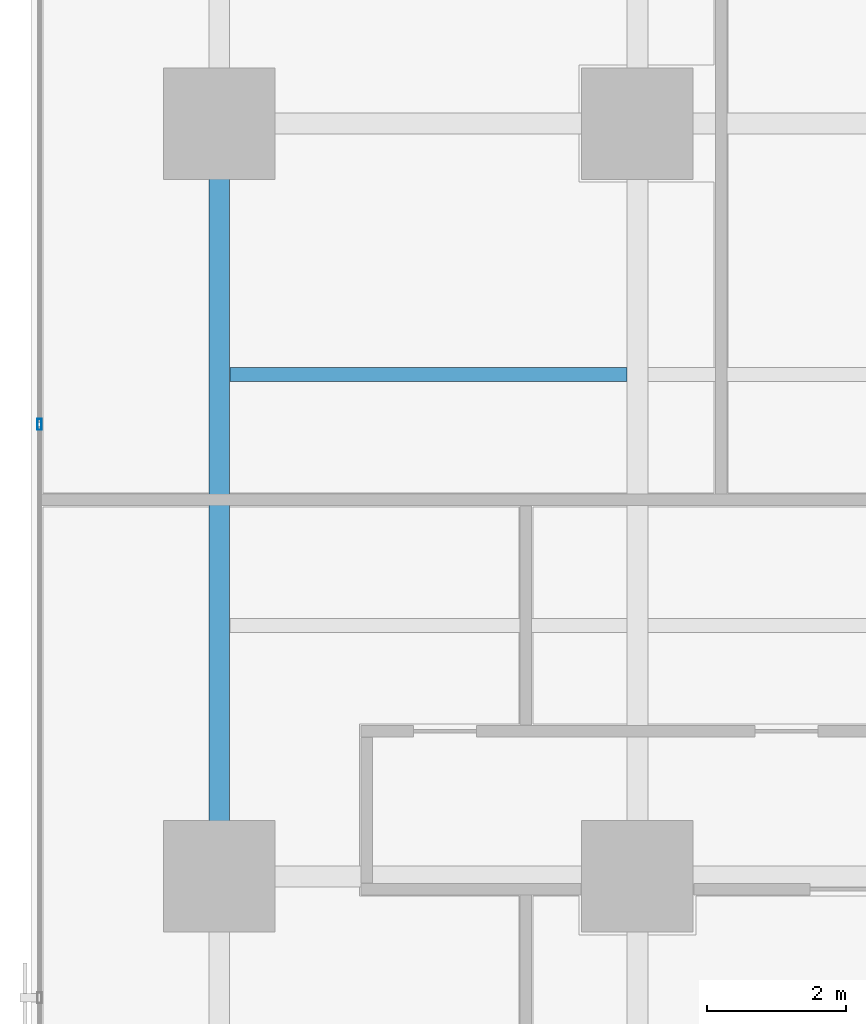
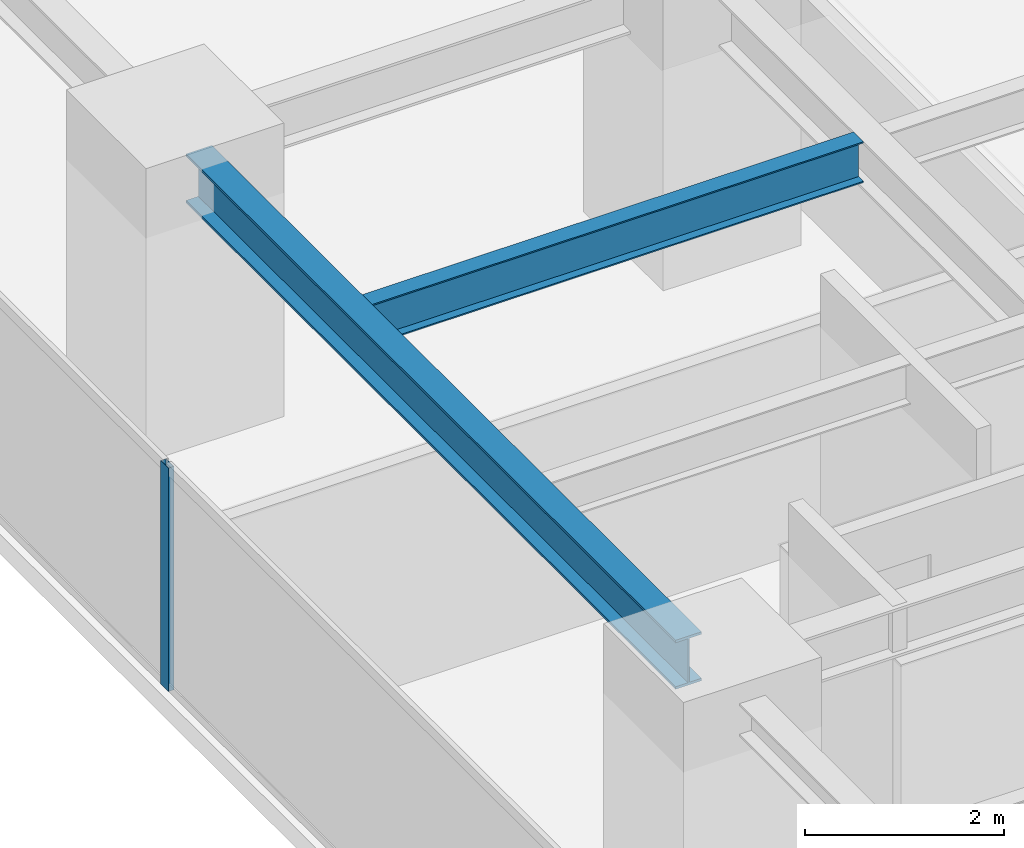
# One storey, part 8 of 37: 2 beams, 1 member, 1 element without a shape of its own.
"""IFC4 building model written with IfcOpenShell, lengths in metres."""

import ifcopenshell
import ifcopenshell.guid

model = None  # the IFC model being written
_history = None  # IfcOwnerHistory: only IFC2X3 demands one
_inside = {}  # id of a spatial element -> (the spatial element, [elements in it])
_under = {}  # id of a project, library or spatial element -> (it, [spatial elements below it])
_declared = {}  # id of a project -> (the project, [libraries it declares])
_typed = {}  # id of a type object -> (the type object, [elements of that type])
_made_of = {}  # id of a material, layer set ... -> (it, [elements and type objects made of it])


def new_model(schema):
    """Start an empty IFC model of exactly this schema.

    Asked for "IFC4X3", IfcOpenShell would pick the latest addendum, in which some entities
    have other attributes; the version numbers below select the first issue.
    IFC2X3 requires an IfcOwnerHistory on every rooted entity: one is made here for all.
    """
    global model, _history
    if schema == "IFC4X3":
        model = ifcopenshell.file(schema_version=(4, 3, 0, 0))
    else:
        model = ifcopenshell.file(schema=schema)
    _inside.clear()
    _under.clear()
    _declared.clear()
    _typed.clear()
    _made_of.clear()
    _history = None
    if model.schema == "IFC2X3":
        org = make("IfcOrganization", Name="unknown")
        user = make(
            "IfcPersonAndOrganization",
            ThePerson=make("IfcPerson", FamilyName="unknown"),
            TheOrganization=org,
        )
        app = make(
            "IfcApplication",
            ApplicationDeveloper=org,
            Version="unknown",
            ApplicationFullName="unknown",
            ApplicationIdentifier="unknown",
        )
        _history = make(
            "IfcOwnerHistory",
            OwningUser=user,
            OwningApplication=app,
            ChangeAction="ADDED",
            CreationDate=0,
        )
    return model


def make(cls, **values):
    """One entity of the class cls with the attributes given. An attribute that is None is left unset."""
    return model.create_entity(
        cls, **{name: value for name, value in values.items() if value is not None}
    )


def rooted(cls, **values):
    """An entity with a GlobalId (a new one), such as an element, a storey or a relation."""
    return make(cls, GlobalId=ifcopenshell.guid.new(), OwnerHistory=_history, **values)


def si_unit(unit_type, name, prefix=None):
    """IfcSIUnit, for example si_unit("LENGTHUNIT", "METRE", prefix="MILLI")."""
    return make("IfcSIUnit", UnitType=unit_type, Prefix=prefix, Name=name)


def assignment(units):
    """IfcUnitAssignment: the units of a project."""
    return None if units is None else make("IfcUnitAssignment", Units=units)


def point(xyz):
    """IfcCartesianPoint."""
    return None if xyz is None else make("IfcCartesianPoint", Coordinates=xyz)


def direction(xyz):
    """IfcDirection."""
    return None if xyz is None else make("IfcDirection", DirectionRatios=xyz)


def frame(location, z_axis=None, x_axis=None):
    """IfcAxis2Placement3D, a coordinate frame: its origin and axes. An axis left out is left unset."""
    return make(
        "IfcAxis2Placement3D",
        Location=point(location),
        Axis=direction(z_axis),
        RefDirection=direction(x_axis),
    )


def frame_2d(location, x_axis=None):
    """IfcAxis2Placement2D, a coordinate frame in the plane: its origin and x axis."""
    return make(
        "IfcAxis2Placement2D", Location=point(location), RefDirection=direction(x_axis)
    )


def origin():
    """The frame at (0, 0, 0) with its axes left unset."""
    return frame((0.0, 0.0, 0.0))


def origin_2d():
    """The frame at (0, 0) in the plane with its x axis left unset."""
    return frame_2d((0.0, 0.0))


def place(relative_to, where):
    """IfcLocalPlacement: puts the frame where relative to a parent placement (None: the world)."""
    return make(
        "IfcLocalPlacement", PlacementRelTo=relative_to, RelativePlacement=where
    )


def context(
    kind, dimensions, precision=None, world=None, true_north=None, identifier=None
):
    """IfcGeometricRepresentationContext, for example the 3D "Model" context."""
    return make(
        "IfcGeometricRepresentationContext",
        ContextIdentifier=identifier,
        ContextType=kind,
        CoordinateSpaceDimension=dimensions,
        Precision=precision,
        WorldCoordinateSystem=world,
        TrueNorth=true_north,
    )


def subcontext(parent, identifier, kind, view, scale=None):
    """IfcGeometricRepresentationSubContext, for example "Body" below "Model"."""
    return make(
        "IfcGeometricRepresentationSubContext",
        ContextIdentifier=identifier,
        ContextType=kind,
        ParentContext=parent,
        TargetScale=scale,
        TargetView=view,
    )


def project(units=None, contexts=None):
    """IfcProject with its units and contexts."""
    return rooted(
        "IfcProject",
        Name="project",
        RepresentationContexts=contexts,
        UnitsInContext=assignment(units),
    )


def spatial(cls, under=None, at=None, **own):
    """A site, building, storey or space (cls), placed at a placement, below another one or the project."""
    s = rooted(cls, ObjectPlacement=at, **own)
    if under is not None:
        _under.setdefault(under.id(), (under, []))[1].append(s)
    return s


def profile(cls, at=None, kind="AREA", **sizes):
    """A parametric profile (cls). Its sizes go by their IFC names, for example OverallWidth=200.0."""
    return make(cls, ProfileType=kind, Position=at, **sizes)


def hollow_rectangle(**sizes):
    """IfcRectangleHollowProfileDef."""
    return profile("IfcRectangleHollowProfileDef", **sizes)


def i_section(**sizes):
    """IfcIShapeProfileDef."""
    return profile("IfcIShapeProfileDef", **sizes)


def extrude(swept, where, along, depth):
    """IfcExtrudedAreaSolid: the profile swept, set in the frame where, extruded along a direction by depth."""
    return make(
        "IfcExtrudedAreaSolid",
        SweptArea=swept,
        Position=where,
        ExtrudedDirection=direction(along),
        Depth=depth,
    )


def shape(context_of_items, identifier, shape_type, items):
    """IfcShapeRepresentation: the items that make up one representation, for example the "Body"."""
    return make(
        "IfcShapeRepresentation",
        ContextOfItems=context_of_items,
        RepresentationIdentifier=identifier,
        RepresentationType=shape_type,
        Items=items,
    )


def source(mapping_origin, context_of_items, identifier, shape_type, items):
    """IfcRepresentationMap: a shape defined once, which mapped items show again and again."""
    return make(
        "IfcRepresentationMap",
        MappingOrigin=mapping_origin,
        MappedRepresentation=shape(context_of_items, identifier, shape_type, items),
    )


def transform(
    local_origin,
    x_axis=None,
    y_axis=None,
    z_axis=None,
    scale=None,
    scale2=None,
    scale3=None,
    uniform=True,
):
    """IfcCartesianTransformationOperator3D, or its non-uniform kind. x_axis, y_axis, z_axis: its Axis1, 2, 3."""
    if uniform:
        return make(
            "IfcCartesianTransformationOperator3D",
            Axis1=direction(x_axis),
            Axis2=direction(y_axis),
            LocalOrigin=point(local_origin),
            Scale=scale,
            Axis3=direction(z_axis),
        )
    return make(
        "IfcCartesianTransformationOperator3DnonUniform",
        Axis1=direction(x_axis),
        Axis2=direction(y_axis),
        LocalOrigin=point(local_origin),
        Scale=scale,
        Axis3=direction(z_axis),
        Scale2=scale2,
        Scale3=scale3,
    )


def mapped(mapping_source, mapping_target):
    """IfcMappedItem: shows the shape of a source again, moved by a transform."""
    return make(
        "IfcMappedItem", MappingSource=mapping_source, MappingTarget=mapping_target
    )


def material(Name=None, Category=None):
    """IfcMaterial."""
    return make("IfcMaterial", Name=Name, Category=Category)


def layer(
    of_material, thickness, ventilated=None, Name=None, Category=None, Priority=None
):
    """IfcMaterialLayer: one layer of a wall or slab, of a material (None: an air gap)."""
    return make(
        "IfcMaterialLayer",
        Material=of_material,
        LayerThickness=thickness,
        IsVentilated=ventilated,
        Name=Name,
        Category=Category,
        Priority=Priority,
    )


def layer_set(layers, Name=None):
    """IfcMaterialLayerSet."""
    return make("IfcMaterialLayerSet", MaterialLayers=layers, LayerSetName=Name)


def material_profile(
    of_material, cross_section, Name=None, Category=None, Priority=None
):
    """IfcMaterialProfile: a cross section and its material."""
    return make(
        "IfcMaterialProfile",
        Name=Name,
        Material=of_material,
        Profile=cross_section,
        Priority=Priority,
        Category=Category,
    )


def profile_set(profiles, Name=None, composite=None):
    """IfcMaterialProfileSet."""
    return make(
        "IfcMaterialProfileSet",
        Name=Name,
        MaterialProfiles=profiles,
        CompositeProfile=composite,
    )


def made_of(thing, what):
    """Note that an element or type object is made of a material, layer set ...; save() writes the relation."""
    if what is not None:
        _made_of.setdefault(what.id(), (what, []))[1].append(thing)
    return thing


def type_object(cls, material=None, **own):
    """A type object (cls), such as IfcWallType, which elements share."""
    return made_of(rooted(cls, **own), material)


def element(
    cls,
    number,
    at=None,
    inside=None,
    cuts=None,
    type_object=None,
    material=None,
    context=None,
    identifier="Body",
    shape_type=None,
    held_by="IfcProductDefinitionShape",
    body=None,
    shapes=None,
    **own,
):
    """One element of the class cls, such as IfcWall. Its Tag is "e" and its number.

    at: its placement. inside: the storey or other place that contains it. cuts: it is an
    opening in that element (IfcRelVoidsElement). A single representation is given by context,
    identifier, shape_type and body (its items); several are given by shapes. held_by: the class
    of the entity that holds the representations. save() writes the other relations.
    """
    e = rooted(cls, Tag="e%d" % number, ObjectPlacement=at, **own)
    if body is not None:
        shapes = [shape(context, identifier, shape_type, body)]
    if shapes is not None:
        e.Representation = make(held_by, Representations=shapes)
    if inside is not None:
        _inside.setdefault(inside.id(), (inside, []))[1].append(e)
    if cuts is not None:
        rooted(
            "IfcRelVoidsElement", RelatingBuildingElement=cuts, RelatedOpeningElement=e
        )
    if type_object is not None:
        _typed.setdefault(type_object.id(), (type_object, []))[1].append(e)
    return made_of(e, material)


def aggregate(whole, parts):
    """IfcRelAggregates: a whole, such as a stair, and the parts it consists of."""
    return rooted("IfcRelAggregates", RelatingObject=whole, RelatedObjects=parts)


def save(model, path):
    """Write the relations noted so far, then the file.

    IfcRelAggregates (storeys below a building ...), IfcRelContainedInSpatialStructure (elements
    in a storey), IfcRelDefinesByType, IfcRelAssociatesMaterial and IfcRelDeclares: one each for
    every whole, place, type object, material and project.
    """
    for whole, parts in _under.values():
        aggregate(whole, parts)
    for where, things in _inside.values():
        rooted(
            "IfcRelContainedInSpatialStructure",
            RelatedElements=things,
            RelatingStructure=where,
        )
    for kind, things in _typed.values():
        rooted("IfcRelDefinesByType", RelatedObjects=things, RelatingType=kind)
    for what, things in _made_of.values():
        rooted("IfcRelAssociatesMaterial", RelatedObjects=things, RelatingMaterial=what)
    for by, libraries in _declared.values():
        rooted("IfcRelDeclares", RelatingContext=by, RelatedDefinitions=libraries)
    model.write(path)


model = new_model("IFC4")

# Units and contexts
model_context = context("Model", 3, precision=1e-05, world=origin(), true_north=direction((0.0, 1.0)))
body_context = subcontext(model_context, "Body", "Model", "MODEL_VIEW")
ifc_project = project(units=[si_unit("LENGTHUNIT", "METRE"), si_unit("AREAUNIT", "SQUARE_METRE"), si_unit("VOLUMEUNIT", "CUBIC_METRE"), si_unit("PLANEANGLEUNIT", "RADIAN"), si_unit("MASSUNIT", "GRAM", prefix="KILO")], contexts=[model_context])

# Site, building, storey
site_placement = place(None, origin())
site = spatial("IfcSite", under=ifc_project, at=site_placement, CompositionType="ELEMENT")
building_placement = place(site_placement, origin())
building = spatial("IfcBuilding", under=site, at=building_placement, Name="Sumidabori Civic Tower", CompositionType="ELEMENT")
storey_placement = place(building_placement, frame((0.0, 0.0, 110.0)))
storey = spatial("IfcBuildingStorey", under=building, at=storey_placement, Name="L28", CompositionType="ELEMENT", Elevation=110.0)

# Beams
ifc_material_1 = material(Name="Steel SN490", Category="steel")
ifc_material_profile_1 = material_profile(ifc_material_1, i_section(OverallWidth=0.300048828125, OverallDepth=0.60009765625, WebThickness=0.015380859375, FlangeThickness=0.030029296875, at=origin_2d()), Name="HE 600 B")
ifc_profile_set_1 = profile_set([ifc_material_profile_1], Name="Steel SN490")
beam_type_1 = type_object("IfcBeamType", Name="BM-GIRD-600", PredefinedType="BEAM", material=ifc_profile_set_1)
shared_shape_1 = source(origin(), body_context, "Body", "SweptSolid", [
    extrude(i_section(OverallWidth=0.300048828125, OverallDepth=0.60009765625, WebThickness=0.015380859375, FlangeThickness=0.030029296875, at=origin_2d()), origin(), (0.0, 0.0, 1.0), 9.840087890625),
])
beam_1_placement = place(storey_placement, frame((-22.800048828125, -10.320068359375, 3.06005859375), z_axis=(0.0, 1.0, 0.0), x_axis=(-1.0, 0.0, 0.0)))
element("IfcBeam", 1, at=beam_1_placement, inside=storey, type_object=beam_type_1, Name="Primary Girder L28 GY-22", PredefinedType="BEAM", context=body_context, shape_type="MappedRepresentation", body=[
    mapped(shared_shape_1, transform((0.0, 0.0, 0.0), x_axis=(1.0, 0.0, 0.0), y_axis=(0.0, 1.0, 0.0), z_axis=(0.0, 0.0, 1.0), scale=1.0)),
])
ifc_material_profile_2 = material_profile(ifc_material_1, i_section(OverallWidth=0.199951171875, OverallDepth=0.5, WebThickness=0.01025390625, FlangeThickness=0.01611328125, at=origin_2d()), Name="IPE 500")
ifc_profile_set_2 = profile_set([ifc_material_profile_2], Name="Steel SN490")
beam_type_2 = type_object("IfcBeamType", Name="BM-JST-500", PredefinedType="JOIST", material=ifc_profile_set_2)
shared_shape_2 = source(origin(), body_context, "Body", "SweptSolid", [
    extrude(i_section(OverallWidth=0.199951171875, OverallDepth=0.5, WebThickness=0.01025390625, FlangeThickness=0.01611328125, at=origin_2d()), origin(), (0.0, 0.0, 1.0), 5.699951171875),
])
beam_2_placement = place(storey_placement, frame((-22.64990234375, -3.60009765625, 3.110107421875), z_axis=(1.0, 0.0, 0.0), x_axis=(0.0, 1.0, 0.0)))
element("IfcBeam", 2, at=beam_2_placement, inside=storey, type_object=beam_type_2, Name="Outer Bay Floor Joist L28 JSTO-45", PredefinedType="JOIST", context=body_context, shape_type="MappedRepresentation", body=[
    mapped(shared_shape_2, transform((0.0, 0.0, 0.0), x_axis=(1.0, 0.0, 0.0), y_axis=(0.0, 1.0, 0.0), z_axis=(0.0, 0.0, 1.0), scale=1.0)),
])

# Curtain wall, member
ifc_material_2 = material(Name="Anodised Bronze Aluminium AW-6063-T6", Category="aluminium")
ifc_layer = layer(ifc_material_2, 0.179931640625, Name="Anodised Bronze Aluminium AW-6063-T6")
ifc_layer_set = layer_set([ifc_layer], Name="Anodised Bronze Aluminium AW-6063-T6")
curtain_wall_type = type_object("IfcCurtainWallType", Name="CW-SYS-3", PredefinedType="NOTDEFINED", material=ifc_layer_set)
curtain_wall_placement = place(storey_placement, origin())
curtain_wall = element("IfcCurtainWall", 3, at=curtain_wall_placement, inside=storey, type_object=curtain_wall_type, Name="Curtain Wall CW:L28:R10", PredefinedType="NOTDEFINED")
ifc_material_profile_3 = material_profile(ifc_material_2, hollow_rectangle(XDim=0.06494140625, YDim=0.159912109375, WallThickness=0.0048828125, at=origin_2d()), Name="ALU MULLION 160x65")
ifc_profile_set_3 = profile_set([ifc_material_profile_3], Name="Anodised Bronze Aluminium AW-6063-T6")
member_type = type_object("IfcMemberType", Name="CW-MUL-160", PredefinedType="MULLION", material=ifc_profile_set_3)
shared_shape_3 = source(origin(), body_context, "Body", "SweptSolid", [
    extrude(hollow_rectangle(XDim=0.06494140625, YDim=0.159912109375, WallThickness=0.0048828125, at=origin_2d()), origin(), (0.0, 0.0, 1.0), 2.739990234375),
])
member_placement = place(storey_placement, frame((-25.3798828125, -4.31396484375, 0.0), z_axis=(0.0, 0.0, 1.0), x_axis=(1.0, 0.0, 0.0)))
member = element("IfcMember", 4, at=member_placement, type_object=member_type, Name="CW-3 mullion 4", PredefinedType="MULLION", context=body_context, shape_type="MappedRepresentation", body=[
    mapped(shared_shape_3, transform((0.0, 0.0, 0.0), x_axis=(1.0, 0.0, 0.0), y_axis=(0.0, 1.0, 0.0), z_axis=(0.0, 0.0, 1.0), scale=1.0)),
])
aggregate(curtain_wall, [member])

save(model, "model.ifc")
